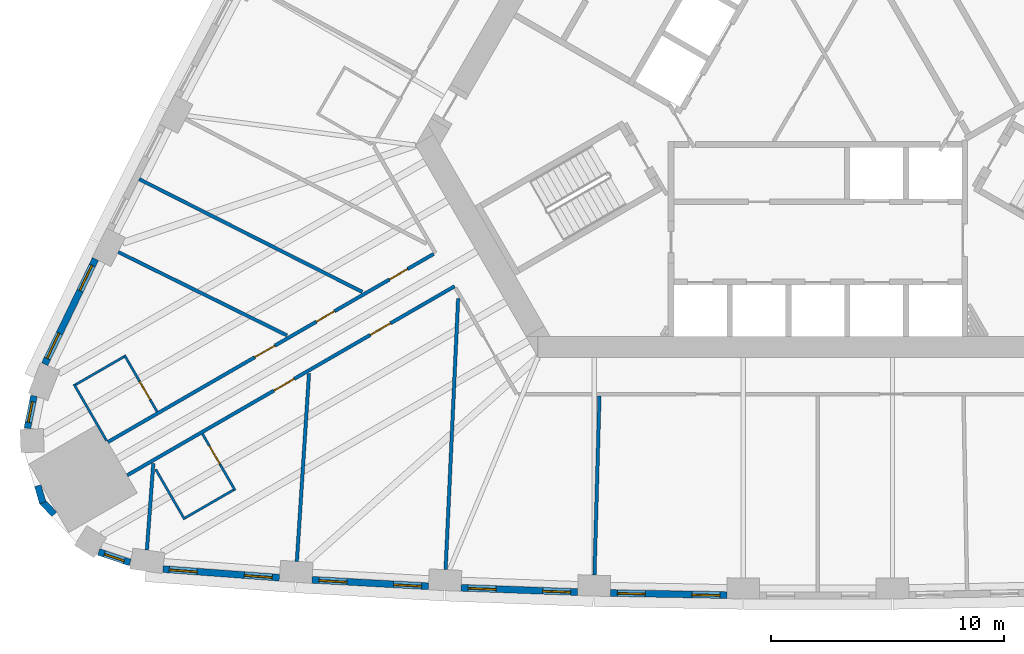
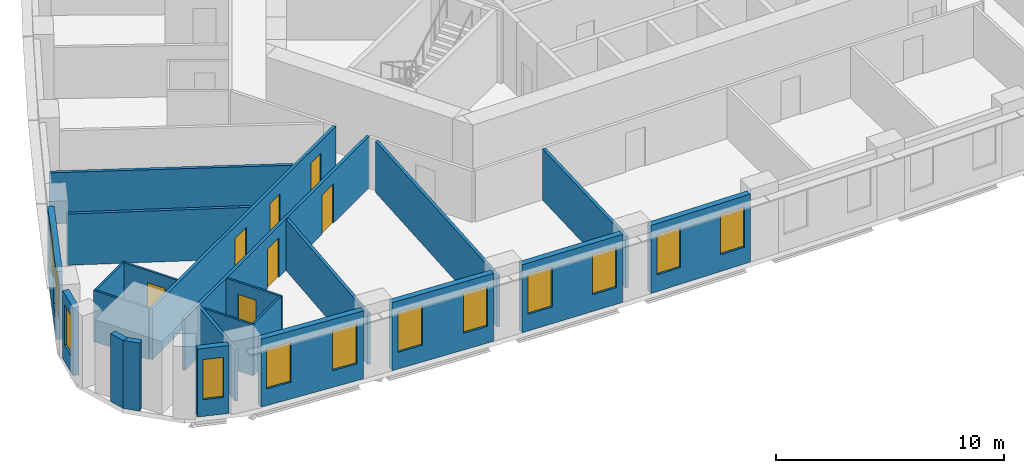
# One storey, part 3 of 12: 23 walls, 12 windows, 7 doors, 19 openings.
"""IFC4 building model written with IfcOpenShell, lengths in metres."""

from ifc_helpers import new_model, si_unit, direction, frame, frame_2d, origin, place, context, subcontext, project, spatial, rectangle, extrude, material, layer, layer_set, type_object, element, fill, save


model = new_model("IFC4")

# Units and contexts
model_context = context("Model", 3, precision=1e-05, world=origin(), true_north=direction((0.0, 1.0)))
body_context = subcontext(model_context, "Body", "Model", "MODEL_VIEW")
ifc_project = project(units=[si_unit("LENGTHUNIT", "METRE"), si_unit("AREAUNIT", "SQUARE_METRE"), si_unit("VOLUMEUNIT", "CUBIC_METRE"), si_unit("PLANEANGLEUNIT", "RADIAN"), si_unit("MASSUNIT", "GRAM", prefix="KILO")], contexts=[model_context])

# Site, building, storey
site_placement = place(None, origin())
site = spatial("IfcSite", under=ifc_project, at=site_placement, CompositionType="ELEMENT")
building_placement = place(site_placement, origin())
building = spatial("IfcBuilding", under=site, at=building_placement, Name="Mestral Congress Tower", CompositionType="ELEMENT")
storey_placement = place(building_placement, frame((0.0, 0.0, 47.10009765625)))
storey = spatial("IfcBuildingStorey", under=building, at=storey_placement, Name="L10", CompositionType="ELEMENT", Elevation=47.10009765625)

# Wall, openings, windows
ifc_material_1 = material(Name="Precast concrete C40/50 with limestone facing", Category="masonry")
ifc_layer_1 = layer(ifc_material_1, 0.2900390625)
ifc_layer_set_1 = layer_set([ifc_layer_1], Name="Precast concrete C40/50 with limestone facing")
wall_type_1 = type_object("IfcWallType", Name="Facade stone wall 290", PredefinedType="SOLIDWALL", material=ifc_layer_set_1)
wall_1_placement = place(storey_placement, frame((-28.097900390625, -22.086181640625, 0.0), z_axis=(0.0, 0.0, 1.0), x_axis=(0.997266290399, -0.073891447643, 0.0)))
wall_1 = element("IfcWall", 1, at=wall_1_placement, inside=storey, type_object=wall_type_1, Name="Facade wall F0-00", PredefinedType="SOLIDWALL", context=body_context, shape_type="SweptSolid", body=[
    extrude(rectangle(XDim=5.005615234375, YDim=0.2900390625, at=frame_2d((2.5029296875, 0.0))), origin(), (0.0, 0.0, 1.0), 3.64990234375),
])
opening_1_placement = place(wall_1_placement, frame((0.26513671875, 0.0, 0.89990234375)))
opening_1 = element("IfcOpeningElement", 2, at=opening_1_placement, cuts=wall_1, Name="Opening W1", PredefinedType="OPENING", context=body_context, shape_type="SweptSolid", body=[
    extrude(rectangle(XDim=1.199951171875, YDim=2.14990234375, at=frame_2d((0.60009765625, 1.074951171875))), frame((0.0, 0.155029296875, 0.0), z_axis=(0.0, -1.0, 0.0), x_axis=(1.0, 0.0, 0.0)), (0.0, 0.0, 1.0), 0.31005859375),
])
opening_2_placement = place(wall_1_placement, frame((3.49560546875, 0.0, 0.89990234375)))
opening_2 = element("IfcOpeningElement", 3, at=opening_2_placement, cuts=wall_1, Name="Opening W1", PredefinedType="OPENING", context=body_context, shape_type="SweptSolid", body=[
    extrude(rectangle(XDim=1.199951171875, YDim=2.14990234375, at=frame_2d((0.60009765625, 1.074951171875))), frame((0.0, 0.155029296875, 0.0), z_axis=(0.0, -1.0, 0.0), x_axis=(1.0, 0.0, 0.0)), (0.0, 0.0, 1.0), 0.31005859375),
])
ifc_material_2 = material(Name="Clear low-emissivity double glazing", Category="glass")
window_type_1 = type_object("IfcWindowType", Name="Facade punched window 1200 x 2150 sill 900", PartitioningType="DOUBLE_PANEL_VERTICAL", PredefinedType="WINDOW", material=ifc_material_2)
window_1_placement = place(opening_1_placement, origin())
window_1 = element("IfcWindow", 4, at=window_1_placement, inside=storey, type_object=window_type_1, Name="Window F0-00a", OverallHeight=2.14990234375, OverallWidth=1.199951171875, PartitioningType="DOUBLE_PANEL_VERTICAL", PredefinedType="WINDOW", context=body_context, shape_type="SweptSolid", body=[
    extrude(rectangle(XDim=1.199951171875, YDim=2.14990234375, at=frame_2d((0.60009765625, 1.074951171875))), frame((0.0, 0.01513671875, 0.0), z_axis=(0.0, -1.0, 0.0), x_axis=(1.0, 0.0, 0.0)), (0.0, 0.0, 1.0), 0.06005859375),
])
fill(opening_1, window_1)
window_2_placement = place(opening_2_placement, origin())
window_2 = element("IfcWindow", 5, at=window_2_placement, inside=storey, type_object=window_type_1, Name="Window F0-00b", OverallHeight=2.14990234375, OverallWidth=1.199951171875, PartitioningType="DOUBLE_PANEL_VERTICAL", PredefinedType="WINDOW", context=body_context, shape_type="SweptSolid", body=[
    extrude(rectangle(XDim=1.199951171875, YDim=2.14990234375, at=frame_2d((0.60009765625, 1.074951171875))), frame((0.0, 0.01513671875, 0.0), z_axis=(0.0, -1.0, 0.0), x_axis=(1.0, 0.0, 0.0)), (0.0, 0.0, 1.0), 0.06005859375),
])
fill(opening_2, window_2)

wall_2_placement = place(storey_placement, frame((-21.701416015625, -22.547119140625, 0.0), z_axis=(0.0, 0.0, 1.0), x_axis=(0.998464708705, -0.055391564976, 0.0)))
wall_2 = element("IfcWall", 6, at=wall_2_placement, inside=storey, type_object=wall_type_1, Name="Facade wall F0-01", PredefinedType="SOLIDWALL", context=body_context, shape_type="SweptSolid", body=[
    extrude(rectangle(XDim=4.998046875, YDim=0.2900390625, at=frame_2d((2.4990234375, 0.0))), origin(), (0.0, 0.0, 1.0), 3.64990234375),
])
opening_3_placement = place(wall_2_placement, frame((0.297119140625, 0.0, 0.89990234375)))
opening_3 = element("IfcOpeningElement", 7, at=opening_3_placement, cuts=wall_2, Name="Opening W1", PredefinedType="OPENING", context=body_context, shape_type="SweptSolid", body=[
    extrude(rectangle(XDim=1.199951171875, YDim=2.14990234375, at=frame_2d((0.60009765625, 1.074951171875))), frame((0.0, 0.155029296875, 0.0), z_axis=(0.0, -1.0, 0.0), x_axis=(1.0, 0.0, 0.0)), (0.0, 0.0, 1.0), 0.31005859375),
])
opening_4_placement = place(wall_2_placement, frame((3.501220703125, 0.0, 0.89990234375)))
opening_4 = element("IfcOpeningElement", 8, at=opening_4_placement, cuts=wall_2, Name="Opening W1", PredefinedType="OPENING", context=body_context, shape_type="SweptSolid", body=[
    extrude(rectangle(XDim=1.199951171875, YDim=2.14990234375, at=frame_2d((0.60009765625, 1.074951171875))), frame((0.0, 0.155029296875, 0.0), z_axis=(0.0, -1.0, 0.0), x_axis=(1.0, 0.0, 0.0)), (0.0, 0.0, 1.0), 0.31005859375),
])
window_3_placement = place(opening_3_placement, origin())
window_3 = element("IfcWindow", 9, at=window_3_placement, inside=storey, type_object=window_type_1, Name="Window F0-01a", OverallHeight=2.14990234375, OverallWidth=1.199951171875, PartitioningType="DOUBLE_PANEL_VERTICAL", PredefinedType="WINDOW", context=body_context, shape_type="SweptSolid", body=[
    extrude(rectangle(XDim=1.199951171875, YDim=2.14990234375, at=frame_2d((0.60009765625, 1.074951171875))), frame((0.0, 0.01513671875, 0.0), z_axis=(0.0, -1.0, 0.0), x_axis=(1.0, 0.0, 0.0)), (0.0, 0.0, 1.0), 0.06005859375),
])
fill(opening_3, window_3)
window_4_placement = place(opening_4_placement, origin())
window_4 = element("IfcWindow", 10, at=window_4_placement, inside=storey, type_object=window_type_1, Name="Window F0-01b", OverallHeight=2.14990234375, OverallWidth=1.199951171875, PartitioningType="DOUBLE_PANEL_VERTICAL", PredefinedType="WINDOW", context=body_context, shape_type="SweptSolid", body=[
    extrude(rectangle(XDim=1.199951171875, YDim=2.14990234375, at=frame_2d((0.60009765625, 1.074951171875))), frame((0.0, 0.01513671875, 0.0), z_axis=(0.0, -1.0, 0.0), x_axis=(1.0, 0.0, 0.0)), (0.0, 0.0, 1.0), 0.06005859375),
])
fill(opening_4, window_4)

wall_3_placement = place(storey_placement, frame((-15.30517578125, -22.88916015625, 0.0), z_axis=(0.0, 0.0, 1.0), x_axis=(0.999317974969, -0.036926750529, 0.0)))
wall_3 = element("IfcWall", 11, at=wall_3_placement, inside=storey, type_object=wall_type_1, Name="Facade wall F0-02", PredefinedType="SOLIDWALL", context=body_context, shape_type="SweptSolid", body=[
    extrude(rectangle(XDim=4.998291015625, YDim=0.2900390625, at=frame_2d((2.4990234375, 0.0))), origin(), (0.0, 0.0, 1.0), 3.64990234375),
])
opening_5_placement = place(wall_3_placement, frame((0.297119140625, 0.0, 0.89990234375)))
opening_5 = element("IfcOpeningElement", 12, at=opening_5_placement, cuts=wall_3, Name="Opening W1", PredefinedType="OPENING", context=body_context, shape_type="SweptSolid", body=[
    extrude(rectangle(XDim=1.199951171875, YDim=2.14990234375, at=frame_2d((0.60009765625, 1.074951171875))), frame((0.0, 0.155029296875, 0.0), z_axis=(0.0, -1.0, 0.0), x_axis=(1.0, 0.0, 0.0)), (0.0, 0.0, 1.0), 0.31005859375),
])
opening_6_placement = place(wall_3_placement, frame((3.501220703125, 0.0, 0.89990234375)))
opening_6 = element("IfcOpeningElement", 13, at=opening_6_placement, cuts=wall_3, Name="Opening W1", PredefinedType="OPENING", context=body_context, shape_type="SweptSolid", body=[
    extrude(rectangle(XDim=1.199951171875, YDim=2.14990234375, at=frame_2d((0.60009765625, 1.074951171875))), frame((0.0, 0.155029296875, 0.0), z_axis=(0.0, -1.0, 0.0), x_axis=(1.0, 0.0, 0.0)), (0.0, 0.0, 1.0), 0.31005859375),
])
window_5_placement = place(opening_5_placement, origin())
window_5 = element("IfcWindow", 14, at=window_5_placement, inside=storey, type_object=window_type_1, Name="Window F0-02a", OverallHeight=2.14990234375, OverallWidth=1.199951171875, PartitioningType="DOUBLE_PANEL_VERTICAL", PredefinedType="WINDOW", context=body_context, shape_type="SweptSolid", body=[
    extrude(rectangle(XDim=1.199951171875, YDim=2.14990234375, at=frame_2d((0.60009765625, 1.074951171875))), frame((0.0, 0.01513671875, 0.0), z_axis=(0.0, -1.0, 0.0), x_axis=(1.0, 0.0, 0.0)), (0.0, 0.0, 1.0), 0.06005859375),
])
fill(opening_5, window_5)
window_6_placement = place(opening_6_placement, origin())
window_6 = element("IfcWindow", 15, at=window_6_placement, inside=storey, type_object=window_type_1, Name="Window F0-02b", OverallHeight=2.14990234375, OverallWidth=1.199951171875, PartitioningType="DOUBLE_PANEL_VERTICAL", PredefinedType="WINDOW", context=body_context, shape_type="SweptSolid", body=[
    extrude(rectangle(XDim=1.199951171875, YDim=2.14990234375, at=frame_2d((0.60009765625, 1.074951171875))), frame((0.0, 0.01513671875, 0.0), z_axis=(0.0, -1.0, 0.0), x_axis=(1.0, 0.0, 0.0)), (0.0, 0.0, 1.0), 0.06005859375),
])
fill(opening_6, window_6)

wall_4_placement = place(storey_placement, frame((-8.903564453125, -23.11279296875, 0.0), z_axis=(0.0, 0.0, 1.0), x_axis=(0.999829529479, -0.018463801951, 0.0)))
wall_4 = element("IfcWall", 16, at=wall_4_placement, inside=storey, type_object=wall_type_1, Name="Facade wall F0-03", PredefinedType="SOLIDWALL", context=body_context, shape_type="SweptSolid", body=[
    extrude(rectangle(XDim=4.998046875, YDim=0.2900390625, at=frame_2d((2.4990234375, 0.0))), origin(), (0.0, 0.0, 1.0), 3.64990234375),
])
opening_7_placement = place(wall_4_placement, frame((0.297119140625, 0.0, 0.89990234375)))
opening_7 = element("IfcOpeningElement", 17, at=opening_7_placement, cuts=wall_4, Name="Opening W1", PredefinedType="OPENING", context=body_context, shape_type="SweptSolid", body=[
    extrude(rectangle(XDim=1.199951171875, YDim=2.14990234375, at=frame_2d((0.60009765625, 1.074951171875))), frame((0.0, 0.155029296875, 0.0), z_axis=(0.0, -1.0, 0.0), x_axis=(1.0, 0.0, 0.0)), (0.0, 0.0, 1.0), 0.31005859375),
])
opening_8_placement = place(wall_4_placement, frame((3.501220703125, 0.0, 0.89990234375)))
opening_8 = element("IfcOpeningElement", 18, at=opening_8_placement, cuts=wall_4, Name="Opening W1", PredefinedType="OPENING", context=body_context, shape_type="SweptSolid", body=[
    extrude(rectangle(XDim=1.199951171875, YDim=2.14990234375, at=frame_2d((0.60009765625, 1.074951171875))), frame((0.0, 0.155029296875, 0.0), z_axis=(0.0, -1.0, 0.0), x_axis=(1.0, 0.0, 0.0)), (0.0, 0.0, 1.0), 0.31005859375),
])
window_7_placement = place(opening_7_placement, origin())
window_7 = element("IfcWindow", 19, at=window_7_placement, inside=storey, type_object=window_type_1, Name="Window F0-03a", OverallHeight=2.14990234375, OverallWidth=1.199951171875, PartitioningType="DOUBLE_PANEL_VERTICAL", PredefinedType="WINDOW", context=body_context, shape_type="SweptSolid", body=[
    extrude(rectangle(XDim=1.199951171875, YDim=2.14990234375, at=frame_2d((0.60009765625, 1.074951171875))), frame((0.0, 0.01513671875, 0.0), z_axis=(0.0, -1.0, 0.0), x_axis=(1.0, 0.0, 0.0)), (0.0, 0.0, 1.0), 0.06005859375),
])
fill(opening_7, window_7)
window_8_placement = place(opening_8_placement, origin())
window_8 = element("IfcWindow", 20, at=window_8_placement, inside=storey, type_object=window_type_1, Name="Window F0-03b", OverallHeight=2.14990234375, OverallWidth=1.199951171875, PartitioningType="DOUBLE_PANEL_VERTICAL", PredefinedType="WINDOW", context=body_context, shape_type="SweptSolid", body=[
    extrude(rectangle(XDim=1.199951171875, YDim=2.14990234375, at=frame_2d((0.60009765625, 1.074951171875))), frame((0.0, 0.01513671875, 0.0), z_axis=(0.0, -1.0, 0.0), x_axis=(1.0, 0.0, 0.0)), (0.0, 0.0, 1.0), 0.06005859375),
])
fill(opening_8, window_8)

wall_5_placement = place(storey_placement, frame((-31.000244140625, -8.7822265625, 0.0), z_axis=(0.0, 0.0, 1.0), x_axis=(-0.434664499056, -0.900592456808, 0.0)))
wall_5 = element("IfcWall", 21, at=wall_5_placement, inside=storey, type_object=wall_type_1, Name="Facade wall F2-08", PredefinedType="SOLIDWALL", context=body_context, shape_type="SweptSolid", body=[
    extrude(rectangle(XDim=5.005615234375, YDim=0.2900390625, at=frame_2d((2.5029296875, 0.0))), origin(), (0.0, 0.0, 1.0), 3.64990234375),
])
opening_9_placement = place(wall_5_placement, frame((0.310302734375, 0.0, 0.89990234375)))
opening_9 = element("IfcOpeningElement", 22, at=opening_9_placement, cuts=wall_5, Name="Opening W1", PredefinedType="OPENING", context=body_context, shape_type="SweptSolid", body=[
    extrude(rectangle(XDim=1.199951171875, YDim=2.14990234375, at=frame_2d((0.60009765625, 1.074951171875))), frame((0.0, 0.155029296875, 0.0), z_axis=(0.0, -1.0, 0.0), x_axis=(1.0, 0.0, 0.0)), (0.0, 0.0, 1.0), 0.31005859375),
])
opening_10_placement = place(wall_5_placement, frame((3.54052734375, 0.0, 0.89990234375)))
opening_10 = element("IfcOpeningElement", 23, at=opening_10_placement, cuts=wall_5, Name="Opening W1", PredefinedType="OPENING", context=body_context, shape_type="SweptSolid", body=[
    extrude(rectangle(XDim=1.199951171875, YDim=2.14990234375, at=frame_2d((0.60009765625, 1.074951171875))), frame((0.0, 0.155029296875, 0.0), z_axis=(0.0, -1.0, 0.0), x_axis=(1.0, 0.0, 0.0)), (0.0, 0.0, 1.0), 0.31005859375),
])
window_9_placement = place(opening_9_placement, origin())
window_9 = element("IfcWindow", 24, at=window_9_placement, inside=storey, type_object=window_type_1, Name="Window F2-08a", OverallHeight=2.14990234375, OverallWidth=1.199951171875, PartitioningType="DOUBLE_PANEL_VERTICAL", PredefinedType="WINDOW", context=body_context, shape_type="SweptSolid", body=[
    extrude(rectangle(XDim=1.199951171875, YDim=2.14990234375, at=frame_2d((0.60009765625, 1.074951171875))), frame((0.0, 0.01513671875, 0.0), z_axis=(0.0, -1.0, 0.0), x_axis=(1.0, 0.0, 0.0)), (0.0, 0.0, 1.0), 0.06005859375),
])
fill(opening_9, window_9)
window_10_placement = place(opening_10_placement, origin())
window_10 = element("IfcWindow", 25, at=window_10_placement, inside=storey, type_object=window_type_1, Name="Window F2-08b", OverallHeight=2.14990234375, OverallWidth=1.199951171875, PartitioningType="DOUBLE_PANEL_VERTICAL", PredefinedType="WINDOW", context=body_context, shape_type="SweptSolid", body=[
    extrude(rectangle(XDim=1.199951171875, YDim=2.14990234375, at=frame_2d((0.60009765625, 1.074951171875))), frame((0.0, 0.01513671875, 0.0), z_axis=(0.0, -1.0, 0.0), x_axis=(1.0, 0.0, 0.0)), (0.0, 0.0, 1.0), 0.06005859375),
])
fill(opening_10, window_10)

# Wall, opening, window
wall_6_placement = place(storey_placement, frame((-33.63720703125, -14.656982421875, 0.0), z_axis=(0.0, 0.0, 1.0), x_axis=(-0.198106888228, -0.980180422594, 0.0)))
wall_6 = element("IfcWall", 26, at=wall_6_placement, inside=storey, type_object=wall_type_1, Name="Facade wall K2-0", PredefinedType="SOLIDWALL", context=body_context, shape_type="SweptSolid", body=[
    extrude(rectangle(XDim=1.414794921875, YDim=0.2900390625, at=frame_2d((0.70751953125, 0.0))), origin(), (0.0, 0.0, 1.0), 3.64990234375),
])
opening_11_placement = place(wall_6_placement, frame((0.25732421875, 0.0, 0.89990234375)))
opening_11 = element("IfcOpeningElement", 27, at=opening_11_placement, cuts=wall_6, Name="Opening W3", PredefinedType="OPENING", context=body_context, shape_type="SweptSolid", body=[
    extrude(rectangle(XDim=0.89990234375, YDim=2.14990234375, at=frame_2d((0.449951171875, 1.074951171875))), frame((0.0, 0.155029296875, 0.0), z_axis=(0.0, -1.0, 0.0), x_axis=(1.0, 0.0, 0.0)), (0.0, 0.0, 1.0), 0.31005859375),
])
window_type_2 = type_object("IfcWindowType", Name="Facade punched window 900 x 2150 sill 900", PartitioningType="SINGLE_PANEL", PredefinedType="WINDOW", material=ifc_material_2)
window_11_placement = place(opening_11_placement, origin())
window_11 = element("IfcWindow", 28, at=window_11_placement, inside=storey, type_object=window_type_2, Name="Window K2-0", OverallHeight=2.14990234375, OverallWidth=0.89990234375, PartitioningType="SINGLE_PANEL", PredefinedType="WINDOW", context=body_context, shape_type="SweptSolid", body=[
    extrude(rectangle(XDim=0.89990234375, YDim=2.14990234375, at=frame_2d((0.449951171875, 1.074951171875))), frame((0.0, 0.01513671875, 0.0), z_axis=(0.0, -1.0, 0.0), x_axis=(1.0, 0.0, 0.0)), (0.0, 0.0, 1.0), 0.06005859375),
])
fill(opening_11, window_11)

# Walls
for number, where, z_axis, x_axis, name in (
    (29, (-33.4697265625, -18.507080078125, 0.0), (0.0, 0.0, 1.0), (0.278981320915, -0.960296528464, 0.0), "Facade wall K2-1"),
    (30, (-33.291259765625, -19.180908203125, 0.0), (0.0, 0.0, 1.0), (0.692252359589, -0.721655506903, 0.0), "Facade wall K2-2"),
):
    element("IfcWall", number, at=place(storey_placement, frame(where, z_axis=z_axis, x_axis=x_axis)), inside=storey, type_object=wall_type_1, Name=name, PredefinedType="SOLIDWALL", context=body_context, shape_type="SweptSolid", body=[
        extrude(rectangle(XDim=0.763916015625, YDim=0.2900390625, at=frame_2d((0.3818359375, 0.0))), origin(), (0.0, 0.0, 1.0), 3.64990234375),
    ])

# Wall, opening, window
wall_7_placement = place(storey_placement, frame((-30.852783203125, -21.3515625, 0.0), z_axis=(0.0, 0.0, 1.0), x_axis=(0.947903891592, -0.318556450734, 0.0)))
wall_7 = element("IfcWall", 31, at=wall_7_placement, inside=storey, type_object=wall_type_1, Name="Facade wall K2-3", PredefinedType="SOLIDWALL", context=body_context, shape_type="SweptSolid", body=[
    extrude(rectangle(XDim=1.414794921875, YDim=0.2900390625, at=frame_2d((0.70751953125, 0.0))), origin(), (0.0, 0.0, 1.0), 3.64990234375),
])
opening_12_placement = place(wall_7_placement, frame((0.25732421875, 0.0, 0.89990234375)))
opening_12 = element("IfcOpeningElement", 32, at=opening_12_placement, cuts=wall_7, Name="Opening W3", PredefinedType="OPENING", context=body_context, shape_type="SweptSolid", body=[
    extrude(rectangle(XDim=0.89990234375, YDim=2.14990234375, at=frame_2d((0.449951171875, 1.074951171875))), frame((0.0, 0.155029296875, 0.0), z_axis=(0.0, -1.0, 0.0), x_axis=(1.0, 0.0, 0.0)), (0.0, 0.0, 1.0), 0.31005859375),
])
window_12_placement = place(opening_12_placement, origin())
window_12 = element("IfcWindow", 33, at=window_12_placement, inside=storey, type_object=window_type_2, Name="Window K2-3", OverallHeight=2.14990234375, OverallWidth=0.89990234375, PartitioningType="SINGLE_PANEL", PredefinedType="WINDOW", context=body_context, shape_type="SweptSolid", body=[
    extrude(rectangle(XDim=0.89990234375, YDim=2.14990234375, at=frame_2d((0.449951171875, 1.074951171875))), frame((0.0, 0.01513671875, 0.0), z_axis=(0.0, -1.0, 0.0), x_axis=(1.0, 0.0, 0.0)), (0.0, 0.0, 1.0), 0.06005859375),
])
fill(opening_12, window_12)

# Wall, opening, door
ifc_material_3 = material(Name="Gypsum board partition on metal studs with mineral wool", Category="composite")
ifc_layer_2 = layer(ifc_material_3, 0.10009765625)
ifc_layer_set_2 = layer_set([ifc_layer_2], Name="Gypsum board partition on metal studs with mineral wool")
wall_type_2 = type_object("IfcWallType", Name="Hotel partition wall 100", PredefinedType="PARTITIONING", material=ifc_layer_set_2)
wall_8_placement = place(storey_placement, frame((-25.0048828125, -18.708984375, 0.0), z_axis=(0.0, 0.0, 1.0), x_axis=(-0.49998411664, 0.866034573852, 0.0)))
wall_8 = element("IfcWall", 34, at=wall_8_placement, inside=storey, type_object=wall_type_2, Name="L10-h-pod01a", PredefinedType="PARTITIONING", context=body_context, shape_type="SweptSolid", body=[
    extrude(rectangle(XDim=2.7998046875, YDim=0.10009765625, at=frame_2d((1.39990234375, 0.0))), origin(), (0.0, 0.0, 1.0), 2.75),
])
opening_13_placement = place(wall_8_placement, frame((1.300048828125, 0.0, 0.0)))
opening_13 = element("IfcOpeningElement", 35, at=opening_13_placement, cuts=wall_8, Name="Opening H02-002", PredefinedType="OPENING", context=body_context, shape_type="SweptSolid", body=[
    extrude(rectangle(XDim=0.89990234375, YDim=2.10009765625, at=frame_2d((0.449951171875, 1.050048828125))), frame((0.0, 0.06005859375, 0.0), z_axis=(0.0, -1.0, 0.0), x_axis=(1.0, 0.0, 0.0)), (0.0, 0.0, 1.0), 0.1201171875),
])
ifc_material_4 = material(Name="Timber veneer door leaf in timber frame", Category="wood")
door_type_1 = type_object("IfcDoorType", Name="Bathroom door 900", OperationType="SINGLE_SWING_LEFT", PredefinedType="DOOR", material=ifc_material_4)
door_1_placement = place(opening_13_placement, origin())
door_1 = element("IfcDoor", 36, at=door_1_placement, inside=storey, type_object=door_type_1, Name="L10-h-d002", OperationType="SINGLE_SWING_LEFT", OverallHeight=2.10009765625, OverallWidth=0.89990234375, PredefinedType="DOOR", context=body_context, shape_type="SweptSolid", body=[
    extrude(rectangle(XDim=0.89990234375, YDim=2.10009765625, at=frame_2d((0.449951171875, 1.050048828125))), frame((0.0, 0.02490234375, 0.0), z_axis=(0.0, -1.0, 0.0), x_axis=(1.0, 0.0, 0.0)), (0.0, 0.0, 1.0), 0.050048828125),
])
fill(opening_13, door_1)

# Walls
wall_9_placement = place(storey_placement, frame((-25.072998046875, -18.690673828125, 0.0), z_axis=(0.0, 0.0, 1.0), x_axis=(-0.866050077142, -0.499957262057, 0.0)))
element("IfcWall", 37, at=wall_9_placement, inside=storey, type_object=wall_type_2, Name="L10-h-pod01b", PredefinedType="PARTITIONING", context=body_context, shape_type="SweptSolid", body=[
    extrude(rectangle(XDim=2.400146484375, YDim=0.10009765625, at=frame_2d((1.2001953125, 0.0))), origin(), (0.0, 0.0, 1.0), 2.75),
])
wall_10_placement = place(storey_placement, frame((-28.414794921875, -17.802490234375, 0.0), z_axis=(0.0, 0.0, 1.0), x_axis=(0.499945955465, -0.866056604163, 0.0)))
element("IfcWall", 38, at=wall_10_placement, inside=storey, type_object=wall_type_2, Name="L10-h-pod01c", PredefinedType="PARTITIONING", context=body_context, shape_type="SweptSolid", body=[
    extrude(rectangle(XDim=2.489990234375, YDim=0.10009765625, at=frame_2d((1.2451171875, 0.0))), origin(), (0.0, 0.0, 1.0), 2.75),
])

# Wall, opening, door
wall_11_placement = place(storey_placement, frame((-28.352294921875, -15.330078125, 0.0), z_axis=(0.0, 0.0, 1.0), x_axis=(-0.500049511043, 0.865996816683, 0.0)))
wall_11 = element("IfcWall", 39, at=wall_11_placement, inside=storey, type_object=wall_type_2, Name="L10-h-pod27a", PredefinedType="PARTITIONING", context=body_context, shape_type="SweptSolid", body=[
    extrude(rectangle(XDim=2.800048828125, YDim=0.10009765625, at=frame_2d((1.39990234375, 0.0))), origin(), (0.0, 0.0, 1.0), 2.75),
])
opening_14_placement = place(wall_11_placement, frame((0.60009765625, 0.0, 0.0)))
opening_14 = element("IfcOpeningElement", 40, at=opening_14_placement, cuts=wall_11, Name="Opening H02-044", PredefinedType="OPENING", context=body_context, shape_type="SweptSolid", body=[
    extrude(rectangle(XDim=0.89990234375, YDim=2.10009765625, at=frame_2d((0.449951171875, 1.050048828125))), frame((0.0, 0.06005859375, 0.0), z_axis=(0.0, -1.0, 0.0), x_axis=(1.0, 0.0, 0.0)), (0.0, 0.0, 1.0), 0.1201171875),
])
door_2_placement = place(opening_14_placement, origin())
door_2 = element("IfcDoor", 41, at=door_2_placement, inside=storey, type_object=door_type_1, Name="L10-h-d044", OperationType="SINGLE_SWING_RIGHT", OverallHeight=2.10009765625, OverallWidth=0.89990234375, PredefinedType="DOOR", context=body_context, shape_type="SweptSolid", body=[
    extrude(rectangle(XDim=0.89990234375, YDim=2.10009765625, at=frame_2d((0.449951171875, 1.050048828125))), frame((0.0, 0.02490234375, 0.0), z_axis=(0.0, -1.0, 0.0), x_axis=(1.0, 0.0, 0.0)), (0.0, 0.0, 1.0), 0.050048828125),
])
fill(opening_14, door_2)

# Walls
wall_12_placement = place(storey_placement, frame((-29.770751953125, -12.973388671875, 0.0), z_axis=(0.0, 0.0, 1.0), x_axis=(-0.865980596518, -0.500077600433, 0.0)))
element("IfcWall", 42, at=wall_12_placement, inside=storey, type_object=wall_type_2, Name="L10-h-pod27b", PredefinedType="PARTITIONING", context=body_context, shape_type="SweptSolid", body=[
    extrude(rectangle(XDim=2.39990234375, YDim=0.10009765625, at=frame_2d((1.199951171875, 0.0))), origin(), (0.0, 0.0, 1.0), 2.75),
])
wall_13_placement = place(storey_placement, frame((-30.517578125, -16.580078125, 0.0), z_axis=(0.0, 0.0, 1.0), x_axis=(-0.49998411664, 0.866034573852, 0.0)))
element("IfcWall", 43, at=wall_13_placement, inside=storey, type_object=wall_type_2, Name="L10-h-pod27c", PredefinedType="PARTITIONING", context=body_context, shape_type="SweptSolid", body=[
    extrude(rectangle(XDim=2.7998046875, YDim=0.10009765625, at=frame_2d((1.39990234375, 0.0))), origin(), (0.0, 0.0, 1.0), 2.75),
])

# Wall, openings, doors
ifc_layer_3 = layer(ifc_material_3, 0.14990234375)
ifc_layer_set_3 = layer_set([ifc_layer_3], Name="Gypsum board partition on metal studs with mineral wool")
wall_type_3 = type_object("IfcWallType", Name="Hotel partition wall 150", PredefinedType="PARTITIONING", material=ifc_layer_set_3)
wall_14_placement = place(storey_placement, frame((-30.462646484375, -16.635009765625, 0.0), z_axis=(0.0, 0.0, 1.0), x_axis=(0.866022394896, 0.500005211512, 0.0)))
wall_14 = element("IfcWall", 44, at=wall_14_placement, inside=storey, type_object=wall_type_3, Name="L10-h-cw10", PredefinedType="PARTITIONING", context=body_context, shape_type="SweptSolid", body=[
    extrude(rectangle(XDim=16.143798828125, YDim=0.14990234375, at=frame_2d((8.07177734375, 0.0))), origin(), (0.0, 0.0, 1.0), 2.75),
])
opening_15_placement = place(wall_14_placement, frame((13.948486328125, 0.0, 0.0)))
opening_15 = element("IfcOpeningElement", 45, at=opening_15_placement, cuts=wall_14, Name="Opening H02-041", PredefinedType="OPENING", context=body_context, shape_type="SweptSolid", body=[
    extrude(rectangle(XDim=0.89990234375, YDim=2.10009765625, at=frame_2d((0.449951171875, 1.050048828125))), frame((0.0, 0.0849609375, 0.0), z_axis=(0.0, -1.0, 0.0), x_axis=(1.0, 0.0, 0.0)), (0.0, 0.0, 1.0), 0.169921875),
])
opening_16_placement = place(wall_14_placement, frame((10.3291015625, 0.0, 0.0)))
opening_16 = element("IfcOpeningElement", 46, at=opening_16_placement, cuts=wall_14, Name="Opening H02-042", PredefinedType="OPENING", context=body_context, shape_type="SweptSolid", body=[
    extrude(rectangle(XDim=0.89990234375, YDim=2.10009765625, at=frame_2d((0.449951171875, 1.050048828125))), frame((0.0, 0.0849609375, 0.0), z_axis=(0.0, -1.0, 0.0), x_axis=(1.0, 0.0, 0.0)), (0.0, 0.0, 1.0), 0.169921875),
])
opening_17_placement = place(wall_14_placement, frame((7.273681640625, 0.0, 0.0)))
opening_17 = element("IfcOpeningElement", 47, at=opening_17_placement, cuts=wall_14, Name="Opening H02-043", PredefinedType="OPENING", context=body_context, shape_type="SweptSolid", body=[
    extrude(rectangle(XDim=1.0, YDim=2.10009765625, at=frame_2d((0.5, 1.050048828125))), frame((0.0, 0.0849609375, 0.0), z_axis=(0.0, -1.0, 0.0), x_axis=(1.0, 0.0, 0.0)), (0.0, 0.0, 1.0), 0.169921875),
])
ifc_material_5 = material(Name="Timber veneer door leaf in metal frame", Category="wood")
door_type_2 = type_object("IfcDoorType", Name="Guest room entrance door 1000", OperationType="SINGLE_SWING_LEFT", PredefinedType="DOOR", material=ifc_material_5)
door_3_placement = place(opening_17_placement, origin())
door_3 = element("IfcDoor", 48, at=door_3_placement, inside=storey, type_object=door_type_2, Name="L10-h-d043", OperationType="SINGLE_SWING_RIGHT", OverallHeight=2.10009765625, OverallWidth=1.0, PredefinedType="DOOR", context=body_context, shape_type="SweptSolid", body=[
    extrude(rectangle(XDim=1.0, YDim=2.10009765625, at=frame_2d((0.5, 1.050048828125))), frame((0.0, 0.02490234375, 0.0), z_axis=(0.0, -1.0, 0.0), x_axis=(1.0, 0.0, 0.0)), (0.0, 0.0, 1.0), 0.050048828125),
])
fill(opening_17, door_3)
door_type_3 = type_object("IfcDoorType", Name="Service room door 900", OperationType="SINGLE_SWING_LEFT", PredefinedType="DOOR", material=ifc_material_5)
door_4_placement = place(opening_15_placement, origin())
door_4 = element("IfcDoor", 49, at=door_4_placement, inside=storey, type_object=door_type_3, Name="L10-h-d041", OperationType="SINGLE_SWING_LEFT", OverallHeight=2.10009765625, OverallWidth=0.89990234375, PredefinedType="DOOR", context=body_context, shape_type="SweptSolid", body=[
    extrude(rectangle(XDim=0.89990234375, YDim=2.10009765625, at=frame_2d((0.449951171875, 1.050048828125))), frame((0.0, 0.02490234375, 0.0), z_axis=(0.0, -1.0, 0.0), x_axis=(1.0, 0.0, 0.0)), (0.0, 0.0, 1.0), 0.050048828125),
])
fill(opening_15, door_4)
door_5_placement = place(opening_16_placement, origin())
door_5 = element("IfcDoor", 50, at=door_5_placement, inside=storey, type_object=door_type_3, Name="L10-h-d042", OperationType="SINGLE_SWING_RIGHT", OverallHeight=2.10009765625, OverallWidth=0.89990234375, PredefinedType="DOOR", context=body_context, shape_type="SweptSolid", body=[
    extrude(rectangle(XDim=0.89990234375, YDim=2.10009765625, at=frame_2d((0.449951171875, 1.050048828125))), frame((0.0, 0.02490234375, 0.0), z_axis=(0.0, -1.0, 0.0), x_axis=(1.0, 0.0, 0.0)), (0.0, 0.0, 1.0), 0.050048828125),
])
fill(opening_16, door_5)

wall_15_placement = place(storey_placement, frame((-15.58740234375, -9.951904296875, 0.0), z_axis=(0.0, 0.0, 1.0), x_axis=(-0.866022197818, -0.500005552856, 0.0)))
wall_15 = element("IfcWall", 51, at=wall_15_placement, inside=storey, type_object=wall_type_3, Name="L10-h-cw11", PredefinedType="PARTITIONING", context=body_context, shape_type="SweptSolid", body=[
    extrude(rectangle(XDim=16.223876953125, YDim=0.14990234375, at=frame_2d((8.11181640625, 0.0))), origin(), (0.0, 0.0, 1.0), 2.75),
])
opening_18_placement = place(wall_15_placement, frame((7.948974609375, 0.0, 0.0)))
opening_18 = element("IfcOpeningElement", 52, at=opening_18_placement, cuts=wall_15, Name="Opening H02-001", PredefinedType="OPENING", context=body_context, shape_type="SweptSolid", body=[
    extrude(rectangle(XDim=1.0, YDim=2.10009765625, at=frame_2d((0.5, 1.050048828125))), frame((0.0, 0.0849609375, 0.0), z_axis=(0.0, -1.0, 0.0), x_axis=(1.0, 0.0, 0.0)), (0.0, 0.0, 1.0), 0.169921875),
])
opening_19_placement = place(wall_15_placement, frame((3.17236328125, 0.0, 0.0)))
opening_19 = element("IfcOpeningElement", 53, at=opening_19_placement, cuts=wall_15, Name="Opening H02-003", PredefinedType="OPENING", context=body_context, shape_type="SweptSolid", body=[
    extrude(rectangle(XDim=1.0, YDim=2.10009765625, at=frame_2d((0.5, 1.050048828125))), frame((0.0, 0.0849609375, 0.0), z_axis=(0.0, -1.0, 0.0), x_axis=(1.0, 0.0, 0.0)), (0.0, 0.0, 1.0), 0.169921875),
])
door_6_placement = place(opening_18_placement, origin())
door_6 = element("IfcDoor", 54, at=door_6_placement, inside=storey, type_object=door_type_2, Name="L10-h-d001", OperationType="SINGLE_SWING_LEFT", OverallHeight=2.10009765625, OverallWidth=1.0, PredefinedType="DOOR", context=body_context, shape_type="SweptSolid", body=[
    extrude(rectangle(XDim=1.0, YDim=2.10009765625, at=frame_2d((0.5, 1.050048828125))), frame((0.0, 0.02490234375, 0.0), z_axis=(0.0, -1.0, 0.0), x_axis=(1.0, 0.0, 0.0)), (0.0, 0.0, 1.0), 0.050048828125),
])
fill(opening_18, door_6)
door_7_placement = place(opening_19_placement, origin())
door_7 = element("IfcDoor", 55, at=door_7_placement, inside=storey, type_object=door_type_2, Name="L10-h-d003", OperationType="SINGLE_SWING_RIGHT", OverallHeight=2.10009765625, OverallWidth=1.0, PredefinedType="DOOR", context=body_context, shape_type="SweptSolid", body=[
    extrude(rectangle(XDim=1.0, YDim=2.10009765625, at=frame_2d((0.5, 1.050048828125))), frame((0.0, 0.02490234375, 0.0), z_axis=(0.0, -1.0, 0.0), x_axis=(1.0, 0.0, 0.0)), (0.0, 0.0, 1.0), 0.050048828125),
])
fill(opening_19, door_7)

# Walls
wall_16_placement = place(storey_placement, frame((-28.78955078125, -21.272705078125, 0.0), z_axis=(0.0, 0.0, 1.0), x_axis=(0.07382592098, 0.997271143366, 0.0)))
element("IfcWall", 56, at=wall_16_placement, inside=storey, type_object=wall_type_3, Name="L10-h-pw01", PredefinedType="PARTITIONING", context=body_context, shape_type="SweptSolid", body=[
    extrude(rectangle(XDim=3.733642578125, YDim=0.14990234375, at=frame_2d((1.86669921875, 0.0))), origin(), (0.0, 0.0, 1.0), 2.75),
])
for number, where, z_axis, x_axis, name in (
    (57, (-30.017578125, -8.48291015625, 0.0), (0.0, 0.0, 1.0), (0.896544505264, -0.44295366584, 0.0), "L10-h-pw02"),
    (58, (-22.355224609375, -21.75439453125, 0.0), (0.0, 0.0, 1.0), (0.064639533143, 0.997908678565, 0.0), "L10-h-pw03"),
):
    element("IfcWall", number, at=place(storey_placement, frame(where, z_axis=z_axis, x_axis=x_axis)), inside=storey, type_object=wall_type_3, Name=name, PredefinedType="PARTITIONING", context=body_context, shape_type="SweptSolid", body=[
        extrude(rectangle(XDim=8.078857421875, YDim=0.14990234375, at=frame_2d((4.03955078125, 0.0))), origin(), (0.0, 0.0, 1.0), 2.75),
    ])
wall_17_placement = place(storey_placement, frame((-29.119873046875, -5.355712890625, 0.0), z_axis=(0.0, 0.0, 1.0), x_axis=(0.892401965553, -0.451241323327, 0.0)))
element("IfcWall", 59, at=wall_17_placement, inside=storey, type_object=wall_type_3, Name="L10-h-pw04", PredefinedType="PARTITIONING", context=body_context, shape_type="SweptSolid", body=[
    extrude(rectangle(XDim=10.728759765625, YDim=0.14990234375, at=frame_2d((5.3642578125, 0.0))), origin(), (0.0, 0.0, 1.0), 2.75),
])
wall_18_placement = place(storey_placement, frame((-15.973388671875, -22.10888671875, 0.0), z_axis=(0.0, 0.0, 1.0), x_axis=(0.046191717129, 0.998932592955, 0.0)))
element("IfcWall", 60, at=wall_18_placement, inside=storey, type_object=wall_type_3, Name="L10-h-pw07", PredefinedType="PARTITIONING", context=body_context, shape_type="SweptSolid", body=[
    extrude(rectangle(XDim=11.638427734375, YDim=0.14990234375, at=frame_2d((5.8193359375, 0.0))), origin(), (0.0, 0.0, 1.0), 2.75),
])
wall_19_placement = place(storey_placement, frame((-9.586181640625, -22.34521484375, 0.0), z_axis=(0.0, 0.0, 1.0), x_axis=(0.027722115646, 0.999615668297, 0.0)))
element("IfcWall", 61, at=wall_19_placement, inside=storey, type_object=wall_type_3, Name="L10-h-pw10", PredefinedType="PARTITIONING", context=body_context, shape_type="SweptSolid", body=[
    extrude(rectangle(XDim=7.688232421875, YDim=0.14990234375, at=frame_2d((3.84423828125, 0.0))), origin(), (0.0, 0.0, 1.0), 2.75),
])

save(model, "model.ifc")
